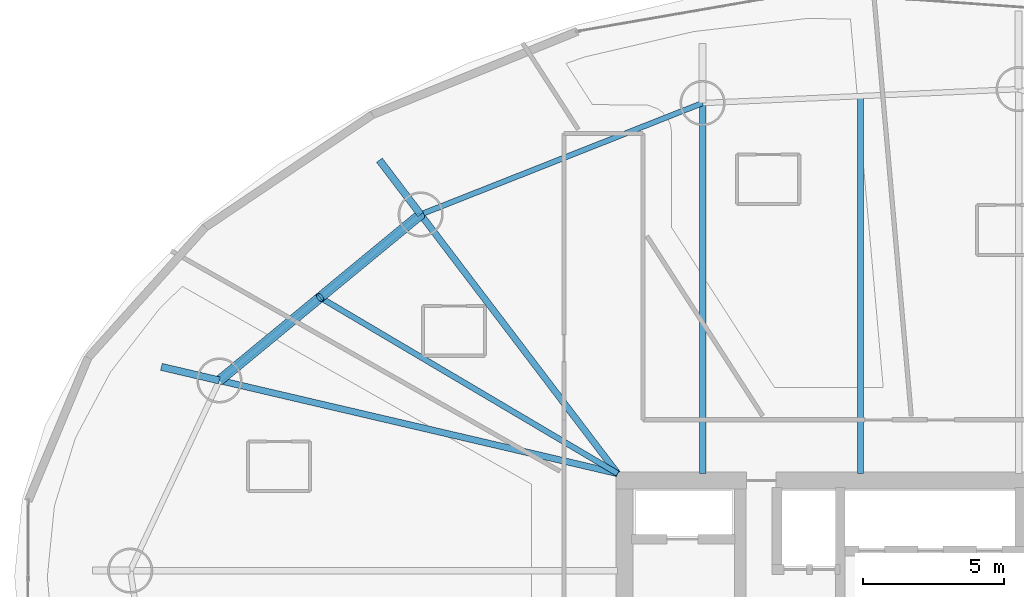
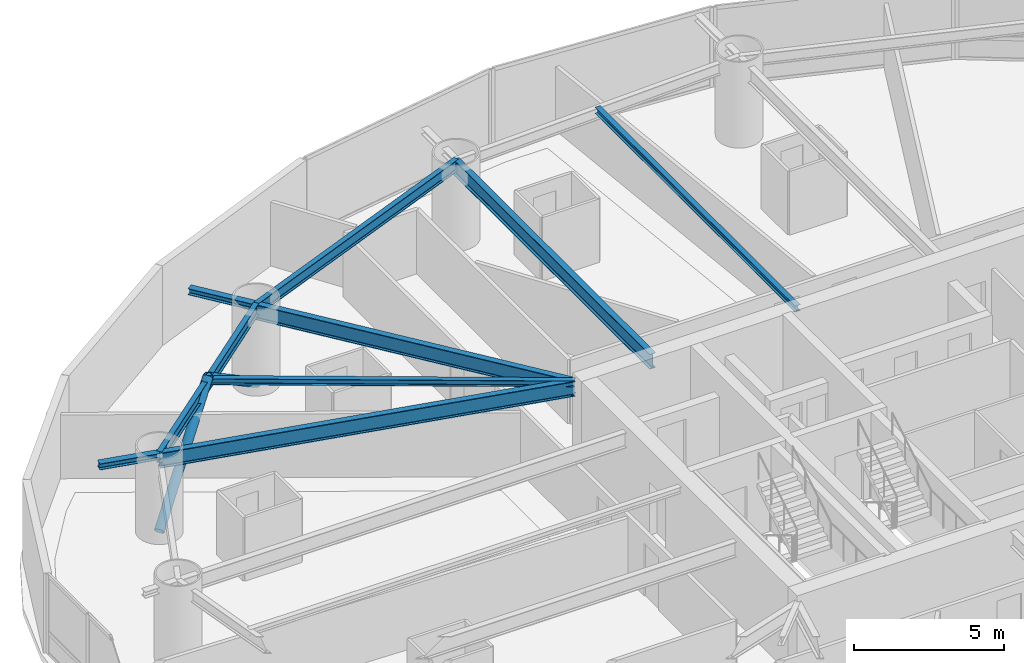
# One storey, part 13 of 27: 9 beams, 2 members.
"""IFC4 building model written with IfcOpenShell, lengths in metres."""

import ifcopenshell
import ifcopenshell.guid

model = None  # the IFC model being written
_history = None  # IfcOwnerHistory: only IFC2X3 demands one
_inside = {}  # id of a spatial element -> (the spatial element, [elements in it])
_under = {}  # id of a project, library or spatial element -> (it, [spatial elements below it])
_declared = {}  # id of a project -> (the project, [libraries it declares])
_typed = {}  # id of a type object -> (the type object, [elements of that type])
_made_of = {}  # id of a material, layer set ... -> (it, [elements and type objects made of it])


def new_model(schema):
    """Start an empty IFC model of exactly this schema.

    Asked for "IFC4X3", IfcOpenShell would pick the latest addendum, in which some entities
    have other attributes; the version numbers below select the first issue.
    IFC2X3 requires an IfcOwnerHistory on every rooted entity: one is made here for all.
    """
    global model, _history
    if schema == "IFC4X3":
        model = ifcopenshell.file(schema_version=(4, 3, 0, 0))
    else:
        model = ifcopenshell.file(schema=schema)
    _inside.clear()
    _under.clear()
    _declared.clear()
    _typed.clear()
    _made_of.clear()
    _history = None
    if model.schema == "IFC2X3":
        org = make("IfcOrganization", Name="unknown")
        user = make(
            "IfcPersonAndOrganization",
            ThePerson=make("IfcPerson", FamilyName="unknown"),
            TheOrganization=org,
        )
        app = make(
            "IfcApplication",
            ApplicationDeveloper=org,
            Version="unknown",
            ApplicationFullName="unknown",
            ApplicationIdentifier="unknown",
        )
        _history = make(
            "IfcOwnerHistory",
            OwningUser=user,
            OwningApplication=app,
            ChangeAction="ADDED",
            CreationDate=0,
        )
    return model


def make(cls, **values):
    """One entity of the class cls with the attributes given. An attribute that is None is left unset."""
    return model.create_entity(
        cls, **{name: value for name, value in values.items() if value is not None}
    )


def rooted(cls, **values):
    """An entity with a GlobalId (a new one), such as an element, a storey or a relation."""
    return make(cls, GlobalId=ifcopenshell.guid.new(), OwnerHistory=_history, **values)


def si_unit(unit_type, name, prefix=None):
    """IfcSIUnit, for example si_unit("LENGTHUNIT", "METRE", prefix="MILLI")."""
    return make("IfcSIUnit", UnitType=unit_type, Prefix=prefix, Name=name)


def assignment(units):
    """IfcUnitAssignment: the units of a project."""
    return None if units is None else make("IfcUnitAssignment", Units=units)


def point(xyz):
    """IfcCartesianPoint."""
    return None if xyz is None else make("IfcCartesianPoint", Coordinates=xyz)


def direction(xyz):
    """IfcDirection."""
    return None if xyz is None else make("IfcDirection", DirectionRatios=xyz)


def frame(location, z_axis=None, x_axis=None):
    """IfcAxis2Placement3D, a coordinate frame: its origin and axes. An axis left out is left unset."""
    return make(
        "IfcAxis2Placement3D",
        Location=point(location),
        Axis=direction(z_axis),
        RefDirection=direction(x_axis),
    )


def frame_2d(location, x_axis=None):
    """IfcAxis2Placement2D, a coordinate frame in the plane: its origin and x axis."""
    return make(
        "IfcAxis2Placement2D", Location=point(location), RefDirection=direction(x_axis)
    )


def origin():
    """The frame at (0, 0, 0) with its axes left unset."""
    return frame((0.0, 0.0, 0.0))


def origin_2d():
    """The frame at (0, 0) in the plane with its x axis left unset."""
    return frame_2d((0.0, 0.0))


def place(relative_to, where):
    """IfcLocalPlacement: puts the frame where relative to a parent placement (None: the world)."""
    return make(
        "IfcLocalPlacement", PlacementRelTo=relative_to, RelativePlacement=where
    )


def context(
    kind, dimensions, precision=None, world=None, true_north=None, identifier=None
):
    """IfcGeometricRepresentationContext, for example the 3D "Model" context."""
    return make(
        "IfcGeometricRepresentationContext",
        ContextIdentifier=identifier,
        ContextType=kind,
        CoordinateSpaceDimension=dimensions,
        Precision=precision,
        WorldCoordinateSystem=world,
        TrueNorth=true_north,
    )


def subcontext(parent, identifier, kind, view, scale=None):
    """IfcGeometricRepresentationSubContext, for example "Body" below "Model"."""
    return make(
        "IfcGeometricRepresentationSubContext",
        ContextIdentifier=identifier,
        ContextType=kind,
        ParentContext=parent,
        TargetScale=scale,
        TargetView=view,
    )


def project(units=None, contexts=None):
    """IfcProject with its units and contexts."""
    return rooted(
        "IfcProject",
        Name="project",
        RepresentationContexts=contexts,
        UnitsInContext=assignment(units),
    )


def spatial(cls, under=None, at=None, **own):
    """A site, building, storey or space (cls), placed at a placement, below another one or the project."""
    s = rooted(cls, ObjectPlacement=at, **own)
    if under is not None:
        _under.setdefault(under.id(), (under, []))[1].append(s)
    return s


def profile(cls, at=None, kind="AREA", **sizes):
    """A parametric profile (cls). Its sizes go by their IFC names, for example OverallWidth=200.0."""
    return make(cls, ProfileType=kind, Position=at, **sizes)


def hollow_circle(**sizes):
    """IfcCircleHollowProfileDef."""
    return profile("IfcCircleHollowProfileDef", **sizes)


def i_section(**sizes):
    """IfcIShapeProfileDef."""
    return profile("IfcIShapeProfileDef", **sizes)


def extrude(swept, where, along, depth):
    """IfcExtrudedAreaSolid: the profile swept, set in the frame where, extruded along a direction by depth."""
    return make(
        "IfcExtrudedAreaSolid",
        SweptArea=swept,
        Position=where,
        ExtrudedDirection=direction(along),
        Depth=depth,
    )


def shape(context_of_items, identifier, shape_type, items):
    """IfcShapeRepresentation: the items that make up one representation, for example the "Body"."""
    return make(
        "IfcShapeRepresentation",
        ContextOfItems=context_of_items,
        RepresentationIdentifier=identifier,
        RepresentationType=shape_type,
        Items=items,
    )


def material(Name=None, Category=None):
    """IfcMaterial."""
    return make("IfcMaterial", Name=Name, Category=Category)


def material_profile(
    of_material, cross_section, Name=None, Category=None, Priority=None
):
    """IfcMaterialProfile: a cross section and its material."""
    return make(
        "IfcMaterialProfile",
        Name=Name,
        Material=of_material,
        Profile=cross_section,
        Priority=Priority,
        Category=Category,
    )


def profile_set(profiles, Name=None, composite=None):
    """IfcMaterialProfileSet."""
    return make(
        "IfcMaterialProfileSet",
        Name=Name,
        MaterialProfiles=profiles,
        CompositeProfile=composite,
    )


def made_of(thing, what):
    """Note that an element or type object is made of a material, layer set ...; save() writes the relation."""
    if what is not None:
        _made_of.setdefault(what.id(), (what, []))[1].append(thing)
    return thing


def type_object(cls, material=None, **own):
    """A type object (cls), such as IfcWallType, which elements share."""
    return made_of(rooted(cls, **own), material)


def element(
    cls,
    number,
    at=None,
    inside=None,
    cuts=None,
    type_object=None,
    material=None,
    context=None,
    identifier="Body",
    shape_type=None,
    held_by="IfcProductDefinitionShape",
    body=None,
    shapes=None,
    **own,
):
    """One element of the class cls, such as IfcWall. Its Tag is "e" and its number.

    at: its placement. inside: the storey or other place that contains it. cuts: it is an
    opening in that element (IfcRelVoidsElement). A single representation is given by context,
    identifier, shape_type and body (its items); several are given by shapes. held_by: the class
    of the entity that holds the representations. save() writes the other relations.
    """
    e = rooted(cls, Tag="e%d" % number, ObjectPlacement=at, **own)
    if body is not None:
        shapes = [shape(context, identifier, shape_type, body)]
    if shapes is not None:
        e.Representation = make(held_by, Representations=shapes)
    if inside is not None:
        _inside.setdefault(inside.id(), (inside, []))[1].append(e)
    if cuts is not None:
        rooted(
            "IfcRelVoidsElement", RelatingBuildingElement=cuts, RelatedOpeningElement=e
        )
    if type_object is not None:
        _typed.setdefault(type_object.id(), (type_object, []))[1].append(e)
    return made_of(e, material)


def aggregate(whole, parts):
    """IfcRelAggregates: a whole, such as a stair, and the parts it consists of."""
    return rooted("IfcRelAggregates", RelatingObject=whole, RelatedObjects=parts)


def save(model, path):
    """Write the relations noted so far, then the file.

    IfcRelAggregates (storeys below a building ...), IfcRelContainedInSpatialStructure (elements
    in a storey), IfcRelDefinesByType, IfcRelAssociatesMaterial and IfcRelDeclares: one each for
    every whole, place, type object, material and project.
    """
    for whole, parts in _under.values():
        aggregate(whole, parts)
    for where, things in _inside.values():
        rooted(
            "IfcRelContainedInSpatialStructure",
            RelatedElements=things,
            RelatingStructure=where,
        )
    for kind, things in _typed.values():
        rooted("IfcRelDefinesByType", RelatedObjects=things, RelatingType=kind)
    for what, things in _made_of.values():
        rooted("IfcRelAssociatesMaterial", RelatedObjects=things, RelatingMaterial=what)
    for by, libraries in _declared.values():
        rooted("IfcRelDeclares", RelatingContext=by, RelatedDefinitions=libraries)
    model.write(path)


model = new_model("IFC4")

# Units and contexts
model_context = context("Model", 3, precision=1e-05, world=origin(), true_north=direction((0.0, 1.0)))
body_context = subcontext(model_context, "Body", "Model", "MODEL_VIEW")
ifc_project = project(units=[si_unit("LENGTHUNIT", "METRE"), si_unit("AREAUNIT", "SQUARE_METRE"), si_unit("VOLUMEUNIT", "CUBIC_METRE"), si_unit("PLANEANGLEUNIT", "RADIAN"), si_unit("MASSUNIT", "GRAM", prefix="KILO")], contexts=[model_context])

# Site, building, storey
site_placement = place(None, origin())
site = spatial("IfcSite", under=ifc_project, at=site_placement, CompositionType="ELEMENT")
building_placement = place(site_placement, origin())
building = spatial("IfcBuilding", under=site, at=building_placement, Name="Bramvorn Convention Spire", CompositionType="ELEMENT")
storey_placement = place(building_placement, frame((0.0, 0.0, 79.89990234375)))
storey = spatial("IfcBuildingStorey", under=building, at=storey_placement, Name="L18", CompositionType="ELEMENT", Elevation=79.89990234375)

# Beams
ifc_material = material(Name="Steel CSA G40.21 Grade 350 (350W)", Category="steel")
ifc_material_profile_1 = material_profile(ifc_material, i_section(OverallWidth=0.201904296875, OverallDepth=0.2470703125, WebThickness=0.00732421875, FlangeThickness=0.010986328125, FilletRadius=0.011962890625, at=origin_2d()))
ifc_profile_set_1 = profile_set([ifc_material_profile_1], Name="Steel CSA G40.21 Grade 350 (350W) - W250X49")
beam_type_1 = type_object("IfcBeamType", Name="BM-W250X49", PredefinedType="JOIST", material=ifc_profile_set_1)
beam_1_placement = place(storey_placement, frame((35.361572265625, 33.449951171875, 3.126708984375), z_axis=(0.0, 1.0, 0.0), x_axis=(-1.0, 0.0, 0.0)))
element("IfcBeam", 1, at=beam_1_placement, inside=storey, type_object=beam_type_1, Name="L18 composite floor joist 05", PredefinedType="JOIST", context=body_context, shape_type="SweptSolid", body=[
    extrude(i_section(OverallWidth=0.201904296875, OverallDepth=0.2470703125, WebThickness=0.00732421875, FlangeThickness=0.010986328125, FilletRadius=0.011962890625, at=origin_2d()), origin(), (0.0, 0.0, 1.0), 13.372802734375),
])
beam_2_placement = place(storey_placement, frame((26.75, 33.449951171875, 3.126708984375), z_axis=(-0.860664556648, 0.509172388223, 0.0), x_axis=(-0.509172388223, -0.860664556648, 0.0)))
element("IfcBeam", 2, at=beam_2_placement, inside=storey, type_object=beam_type_1, Name="L18 composite floor joist 07", PredefinedType="JOIST", context=body_context, shape_type="SweptSolid", body=[
    extrude(i_section(OverallWidth=0.201904296875, OverallDepth=0.2470703125, WebThickness=0.00732421875, FlangeThickness=0.010986328125, FilletRadius=0.011962890625, at=origin_2d()), origin(), (0.0, 0.0, 1.0), 12.25048828125),
])
ifc_material_profile_2 = material_profile(ifc_material, i_section(OverallWidth=0.25390625, OverallDepth=0.2529296875, WebThickness=0.008544921875, FlangeThickness=0.01416015625, FilletRadius=0.011962890625, at=origin_2d()))
ifc_profile_set_2 = profile_set([ifc_material_profile_2], Name="Steel CSA G40.21 Grade 350 (350W) - W250X73")
beam_type_2 = type_object("IfcBeamType", Name="BM-W250X73", PredefinedType="BEAM", material=ifc_profile_set_2)
beam_3_placement = place(storey_placement, frame((19.772216796875, 42.628662109375, 3.12353515625), z_axis=(-0.605180687371, 0.796088145643, 0.0), x_axis=(-0.796088145643, -0.605180687371, 0.0)))
element("IfcBeam", 3, at=beam_3_placement, inside=storey, type_object=beam_type_2, Name="L18 slab-edge cantilever tip beam MC07", PredefinedType="BEAM", context=body_context, shape_type="SweptSolid", body=[
    extrude(i_section(OverallWidth=0.25390625, OverallDepth=0.2529296875, WebThickness=0.008544921875, FlangeThickness=0.01416015625, FilletRadius=0.011962890625, at=origin_2d()), origin(), (0.0, 0.0, 1.0), 2.41455078125),
])
beam_4_placement = place(storey_placement, frame((12.64111328125, 36.746337890625, 3.12353515625), z_axis=(-0.973773799479, 0.227518323326, 0.0), x_axis=(-0.227518323326, -0.973773799479, 0.0)))
element("IfcBeam", 4, at=beam_4_placement, inside=storey, type_object=beam_type_2, Name="L18 slab-edge cantilever tip beam MC08", PredefinedType="BEAM", context=body_context, shape_type="SweptSolid", body=[
    extrude(i_section(OverallWidth=0.25390625, OverallDepth=0.2529296875, WebThickness=0.008544921875, FlangeThickness=0.01416015625, FilletRadius=0.011962890625, at=origin_2d()), origin(), (0.0, 0.0, 1.0), 2.11181640625),
])
ifc_material_profile_3 = material_profile(ifc_material, i_section(OverallWidth=0.194091796875, OverallDepth=0.468994140625, WebThickness=0.0126953125, FlangeThickness=0.0205078125, FilletRadius=0.01806640625, at=origin_2d()))
ifc_profile_set_3 = profile_set([ifc_material_profile_3], Name="Steel CSA G40.21 Grade 350 (350W) - W460X106")
beam_type_3 = type_object("IfcBeamType", Name="BM-W460X106", PredefinedType="SPANDREL", material=ifc_profile_set_3)
beam_5_placement = place(storey_placement, frame((29.76220703125, 46.57666015625, 3.015625), z_axis=(-0.93000950609, -0.367535465749, 0.0), x_axis=(0.367535465749, -0.93000950609, 0.0)))
element("IfcBeam", 5, at=beam_5_placement, inside=storey, type_object=beam_type_3, Name="L18 mega-column ring beam 06", PredefinedType="SPANDREL", context=body_context, shape_type="SweptSolid", body=[
    extrude(i_section(OverallWidth=0.194091796875, OverallDepth=0.468994140625, WebThickness=0.0126953125, FlangeThickness=0.0205078125, FilletRadius=0.01806640625, at=origin_2d()), origin(), (0.0, 0.0, 1.0), 10.74169921875),
])
beam_6_placement = place(storey_placement, frame((19.772216796875, 42.628662109375, 3.015625), z_axis=(-0.771417680101, -0.636329130896, 0.0), x_axis=(0.636329130896, -0.771417680101, 0.0)))
element("IfcBeam", 6, at=beam_6_placement, inside=storey, type_object=beam_type_3, Name="L18 mega-column ring beam 07", PredefinedType="SPANDREL", context=body_context, shape_type="SweptSolid", body=[
    extrude(i_section(OverallWidth=0.194091796875, OverallDepth=0.468994140625, WebThickness=0.0126953125, FlangeThickness=0.0205078125, FilletRadius=0.01806640625, at=origin_2d()), origin(), (0.0, 0.0, 1.0), 9.244140625),
])
ifc_material_profile_4 = material_profile(ifc_material, i_section(OverallWidth=0.22998046875, OverallDepth=0.616943359375, WebThickness=0.01318359375, FlangeThickness=0.022216796875, FilletRadius=0.02001953125, at=origin_2d()))
ifc_profile_set_4 = profile_set([ifc_material_profile_4], Name="Steel CSA G40.21 Grade 350 (350W) - W610X140")
beam_type_4 = type_object("IfcBeamType", Name="BM-W610X140", PredefinedType="BEAM", material=ifc_profile_set_4)
beam_7_placement = place(storey_placement, frame((29.76220703125, 33.449951171875, 2.941650390625), z_axis=(0.0, 1.0, 0.0), x_axis=(-1.0, 0.0, 0.0)))
element("IfcBeam", 7, at=beam_7_placement, inside=storey, type_object=beam_type_4, Name="L18 radial floor girder MC06", PredefinedType="BEAM", context=body_context, shape_type="SweptSolid", body=[
    extrude(i_section(OverallWidth=0.22998046875, OverallDepth=0.616943359375, WebThickness=0.01318359375, FlangeThickness=0.022216796875, FilletRadius=0.02001953125, at=origin_2d()), origin(), (0.0, 0.0, 1.0), 13.126708984375),
])
beam_8_placement = place(storey_placement, frame((26.75, 33.449951171875, 2.941650390625), z_axis=(-0.605191175112, 0.796080172826, 0.0), x_axis=(-0.796080172826, -0.605191175112, 0.0)))
element("IfcBeam", 8, at=beam_8_placement, inside=storey, type_object=beam_type_4, Name="L18 radial floor girder MC07", PredefinedType="BEAM", context=body_context, shape_type="SweptSolid", body=[
    extrude(i_section(OverallWidth=0.22998046875, OverallDepth=0.616943359375, WebThickness=0.01318359375, FlangeThickness=0.022216796875, FilletRadius=0.02001953125, at=origin_2d()), origin(), (0.0, 0.0, 1.0), 11.52978515625),
])
beam_9_placement = place(storey_placement, frame((26.75, 33.449951171875, 2.941650390625), z_axis=(-0.973775294862, 0.227511923018, 0.0), x_axis=(-0.227511923018, -0.973775294862, 0.0)))
element("IfcBeam", 9, at=beam_9_placement, inside=storey, type_object=beam_type_4, Name="L18 radial floor girder MC08", PredefinedType="BEAM", context=body_context, shape_type="SweptSolid", body=[
    extrude(i_section(OverallWidth=0.22998046875, OverallDepth=0.616943359375, WebThickness=0.01318359375, FlangeThickness=0.022216796875, FilletRadius=0.02001953125, at=origin_2d()), origin(), (0.0, 0.0, 1.0), 14.48876953125),
])

# Members
ifc_material_profile_5 = material_profile(ifc_material, hollow_circle(Radius=0.177734375, WallThickness=0.015869140625, at=origin_2d()))
ifc_profile_set_5 = profile_set([ifc_material_profile_5], Name="Steel CSA G40.21 Grade 350 (350W) - CHS356X16")
member_type = type_object("IfcMemberType", Name="MBR-CHS356X16", PredefinedType="BRACE", material=ifc_profile_set_5)
member_1_placement = place(storey_placement, frame((19.772216796875, 42.628662109375, 0.0), z_axis=(-0.631048588012, -0.520523268728, 0.575181020446), x_axis=(0.636316166913, -0.771428373684, 0.0)))
element("IfcMember", 10, at=member_1_placement, inside=storey, type_object=member_type, Name="L18 perimeter Gothic lancet brace 7A", PredefinedType="BRACE", context=body_context, shape_type="SweptSolid", body=[
    extrude(hollow_circle(Radius=0.177734375, WallThickness=0.015869140625, at=origin_2d()), origin(), (0.0, 0.0, 1.0), 5.650390625),
])
member_2_placement = place(storey_placement, frame((12.64111328125, 36.746337890625, 0.0), z_axis=(0.631022585513, 0.520537461495, 0.57519670353), x_axis=(-0.636342095228, 0.771406985865, 0.0)))
element("IfcMember", 11, at=member_2_placement, inside=storey, type_object=member_type, Name="L18 perimeter Gothic lancet brace 7B", PredefinedType="BRACE", context=body_context, shape_type="SweptSolid", body=[
    extrude(hollow_circle(Radius=0.177734375, WallThickness=0.015869140625, at=origin_2d()), origin(), (0.0, 0.0, 1.0), 5.650146484375),
])

save(model, "model.ifc")
